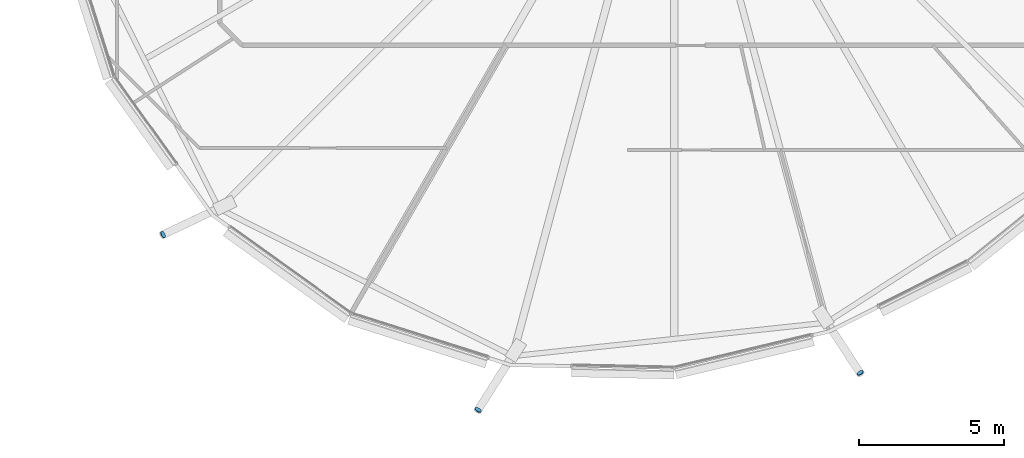
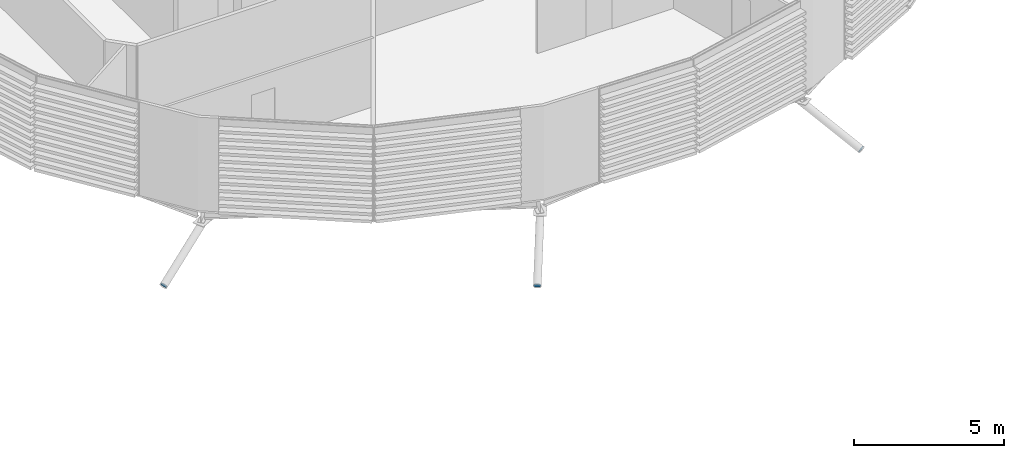
# One storey, part 29 of 37: 3 discrete accessories.
"""IFC4 building model written with IfcOpenShell, lengths in metres."""

from ifc_helpers import new_model, si_unit, direction, frame, origin, origin_2d, place, context, subcontext, project, spatial, circle, extrude, material, material_profile, profile_set, type_object, element, save


model = new_model("IFC4")

# Units and contexts
model_context = context("Model", 3, precision=1e-05, world=origin(), true_north=direction((0.0, 1.0)))
body_context = subcontext(model_context, "Body", "Model", "MODEL_VIEW")
ifc_project = project(units=[si_unit("LENGTHUNIT", "METRE"), si_unit("AREAUNIT", "SQUARE_METRE"), si_unit("VOLUMEUNIT", "CUBIC_METRE"), si_unit("PLANEANGLEUNIT", "RADIAN"), si_unit("MASSUNIT", "GRAM", prefix="KILO")], contexts=[model_context])

# Site, building, storey
site_placement = place(None, origin())
site = spatial("IfcSite", under=ifc_project, at=site_placement, CompositionType="ELEMENT")
building_placement = place(site_placement, origin())
building = spatial("IfcBuilding", under=site, at=building_placement, Name="Rimbun Link Towers", CompositionType="ELEMENT")
storey_placement = place(building_placement, frame((0.0, 0.0, 162.699951171875)))
storey = spatial("IfcBuildingStorey", under=building, at=storey_placement, Name="L39", CompositionType="ELEMENT", Elevation=162.699951171875)

# Discrete accessories
ifc_material = material(Name="Steel S355J2H", Category="steel")
ifc_material_profile = material_profile(ifc_material, circle(Radius=0.1240234375, at=origin_2d()), Name="PL D248")
ifc_profile_set = profile_set([ifc_material_profile], Name="Steel S355J2H")
discrete_accessory_type = type_object("IfcDiscreteAccessoryType", Name="Link foot sealing plate D248X20", PredefinedType="BRACKET", material=ifc_profile_set)
discrete_accessory_placement = place(storey_placement, frame((14.141845703125, -16.5751953125, -2.056884765625), z_axis=(-0.792786257851, -0.371618558367, -0.483104125878), x_axis=(0.424433876231, -0.905458935959, 0.0)))
element("IfcDiscreteAccessory", 1, at=discrete_accessory_placement, inside=storey, type_object=discrete_accessory_type, Name="Link foot sealing plate T2 L39 12", PredefinedType="BRACKET", context=body_context, shape_type="SweptSolid", body=[
    extrude(circle(Radius=0.1240234375, at=origin_2d()), origin(), (0.0, 0.0, 1.0), 0.019775390625),
])
for number, where, z_axis, x_axis, name in (
    (2, (24.998046875, -22.614013671875, -2.19775390625), (-0.462008213197, -0.74164476329, -0.486324434944), (0.848779090136, -0.528747629921, 0.0), "Link foot sealing plate T2 L39 14"),
    (3, (38.15625, -21.34033203125, -2.0498046875), (0.475715891351, -0.731870602079, -0.487913734719), (0.838443616301, 0.544988350595, 0.0), "Link foot sealing plate T2 L39 16"),
):
    element("IfcDiscreteAccessory", number, at=place(storey_placement, frame(where, z_axis=z_axis, x_axis=x_axis)), inside=storey, type_object=discrete_accessory_type, Name=name, PredefinedType="BRACKET", context=body_context, shape_type="SweptSolid", body=[
        extrude(circle(Radius=0.1240234375, at=origin_2d()), origin(), (0.0, 0.0, 1.0), 0.02001953125),
    ])

save(model, "model.ifc")
